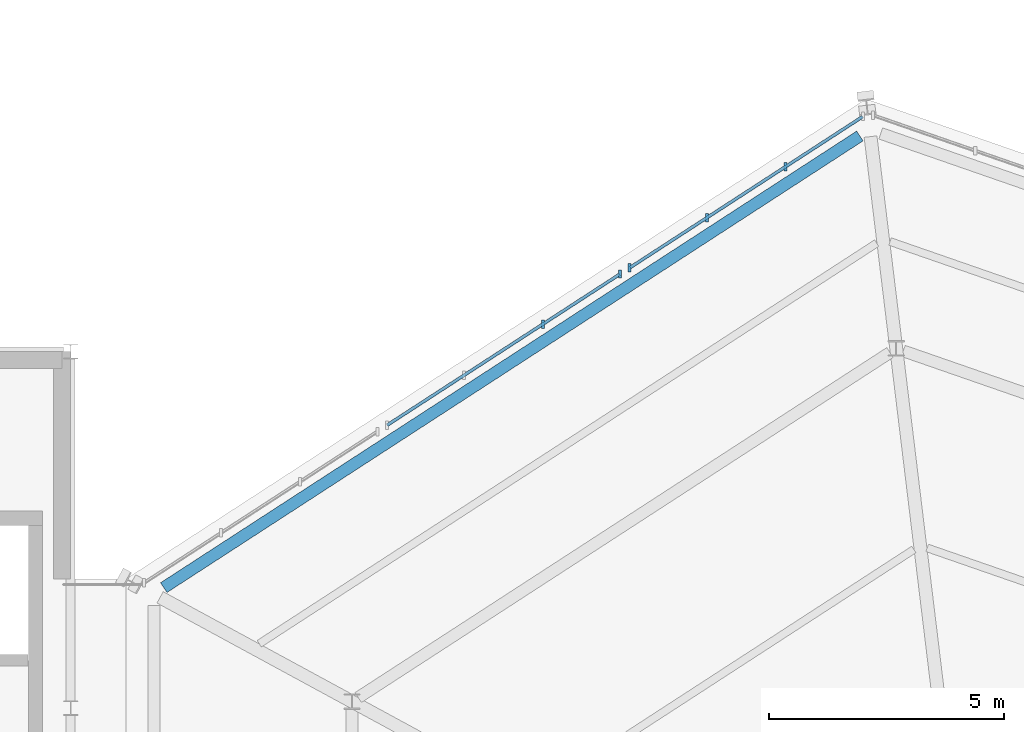
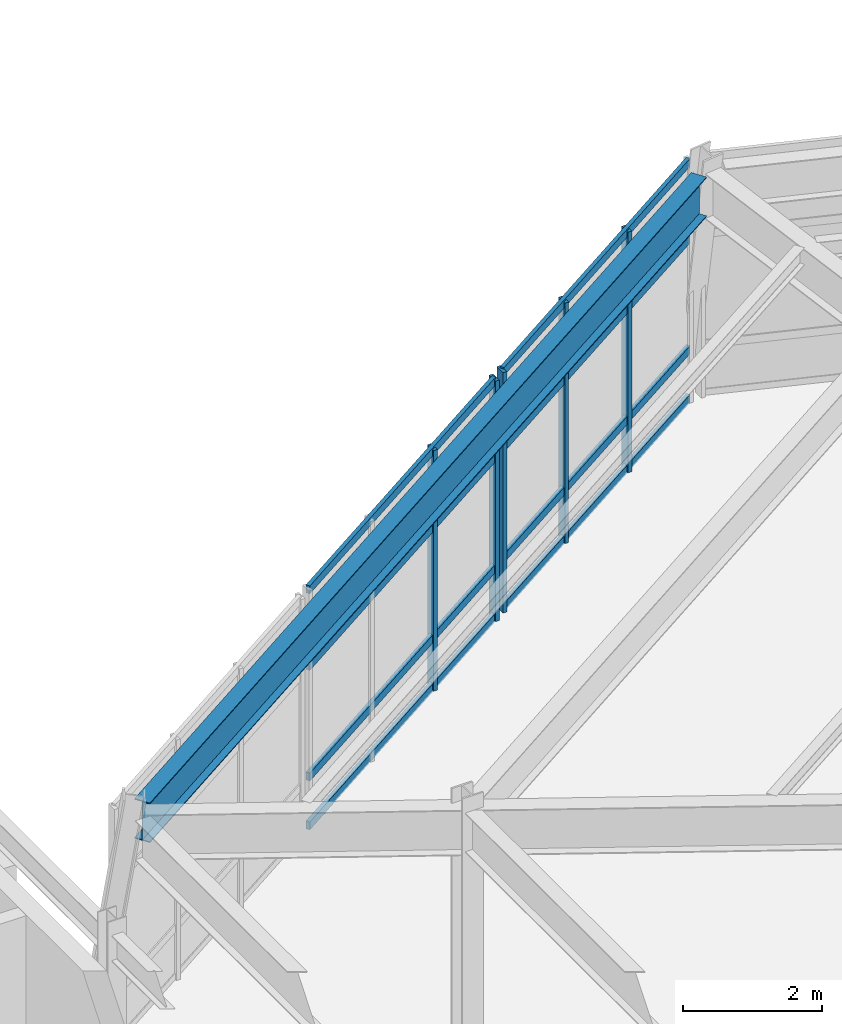
# One storey, part 32 of 69: 13 members, 1 beam, 2 elements without a shape of their own.
"""IFC4 building model written with IfcOpenShell, lengths in metres."""

from ifc_helpers import new_model, si_unit, direction, frame, origin, origin_2d, place, context, subcontext, project, spatial, rectangle, i_section, extrude, material, material_profile, profile_set, type_object, element, aggregate, save


model = new_model("IFC4")

# Units and contexts
model_context = context("Model", 3, precision=1e-05, world=origin(), true_north=direction((0.0, 1.0)))
body_context = subcontext(model_context, "Body", "Model", "MODEL_VIEW")
ifc_project = project(units=[si_unit("LENGTHUNIT", "METRE"), si_unit("AREAUNIT", "SQUARE_METRE"), si_unit("VOLUMEUNIT", "CUBIC_METRE"), si_unit("PLANEANGLEUNIT", "RADIAN"), si_unit("MASSUNIT", "GRAM", prefix="KILO")], contexts=[model_context])

# Site, building, storey
site_placement = place(None, origin())
site = spatial("IfcSite", under=ifc_project, at=site_placement, CompositionType="ELEMENT")
building_placement = place(site_placement, origin())
building = spatial("IfcBuilding", under=site, at=building_placement, Name="Sarnbrook Museum", CompositionType="ELEMENT")
storey_placement = place(building_placement, frame((0.0, 0.0, 14.60009765625)))
storey = spatial("IfcBuildingStorey", under=building, at=storey_placement, Name="L03", CompositionType="ELEMENT", Elevation=14.60009765625)

# Beam
ifc_material_1 = material(Name="Structural Steel Grade 350L0 (AS/NZS 3678, fy = 340 MPa for 20 < t <= 40 mm)", Category="steel")
ifc_material_profile_1 = material_profile(ifc_material_1, i_section(OverallWidth=0.25, OverallDepth=0.699951171875, WebThickness=0.010009765625, FlangeThickness=0.01611328125, at=origin_2d()), Name="700WB130")
ifc_profile_set_1 = profile_set([ifc_material_profile_1], Name="Structural Steel Grade 350L0 (AS/NZS 3678, fy = 340 MPa for 20 < t <= 40 mm)")
beam_type = type_object("IfcBeamType", Name="BM-WB700", PredefinedType="BEAM", material=ifc_profile_set_1)
beam_placement = place(storey_placement, frame((136.028564453125, 112.999755859375, 3.889892578125), z_axis=(-0.838904579067, -0.544278519896, 0.0), x_axis=(0.544278519896, -0.838904579067, 0.0)))
element("IfcBeam", 1, at=beam_placement, inside=storey, type_object=beam_type, Name="Crystal Hall Perimeter Ring Girder 6 L03", PredefinedType="BEAM", context=body_context, shape_type="SweptSolid", body=[
    extrude(i_section(OverallWidth=0.25, OverallDepth=0.699951171875, WebThickness=0.010009765625, FlangeThickness=0.01611328125, at=origin_2d()), origin(), (0.0, 0.0, 1.0), 17.691650390625),
])

# Curtain wall, members
ifc_material_2 = material(Name="Thermally Broken Anodised Aluminium 6063-T6", Category="aluminium")
curtain_wall_type = type_object("IfcCurtainWallType", Name="CurtainWall_CrystalFacet", PredefinedType="NOTDEFINED", material=ifc_material_2)
curtain_wall_1_placement = place(storey_placement, origin())
curtain_wall_1 = element("IfcCurtainWall", 2, at=curtain_wall_1_placement, inside=storey, type_object=curtain_wall_type, Name="Crystal Hall Facet Curtain Wall L03-F6.1", PredefinedType="NOTDEFINED")
ifc_material_profile_2 = material_profile(ifc_material_2, rectangle(XDim=0.06494140625, YDim=0.179931640625, at=origin_2d()), Name="ALU MULLION 65x180")
ifc_profile_set_2 = profile_set([ifc_material_profile_2], Name="Thermally Broken Anodised Aluminium 6063-T6")
member_type_1 = type_object("IfcMemberType", Name="CW_Mullion_180x75", PredefinedType="MULLION", material=ifc_profile_set_2)
member_1_placement = place(storey_placement, frame((134.447998046875, 112.347900390625, 0.0), z_axis=(0.0, 0.0, 1.0), x_axis=(1.0, 0.0, 0.0)))
member_1 = element("IfcMember", 3, at=member_1_placement, type_object=member_type_1, Name="Crystal Hall Facet Curtain Wall L03-F6.1 Mullion 2", PredefinedType="MULLION", context=body_context, shape_type="SweptSolid", body=[
    extrude(rectangle(XDim=0.06494140625, YDim=0.179931640625, at=origin_2d()), origin(), (0.0, 0.0, 1.0), 4.239990234375),
])
member_2_placement = place(storey_placement, frame((132.76708984375, 111.257080078125, 0.0), z_axis=(0.0, 0.0, 1.0), x_axis=(1.0, 0.0, 0.0)))
member_2 = element("IfcMember", 4, at=member_2_placement, type_object=member_type_1, Name="Crystal Hall Facet Curtain Wall L03-F6.1 Mullion 3", PredefinedType="MULLION", context=body_context, shape_type="SweptSolid", body=[
    extrude(rectangle(XDim=0.06494140625, YDim=0.179931640625, at=origin_2d()), origin(), (0.0, 0.0, 1.0), 4.239990234375),
])
member_3_placement = place(storey_placement, frame((131.119384765625, 110.188232421875, 0.0), z_axis=(0.0, 0.0, 1.0), x_axis=(1.0, 0.0, 0.0)))
member_3 = element("IfcMember", 5, at=member_3_placement, type_object=member_type_1, Name="Crystal Hall Facet Curtain Wall L03-F6.1 Mullion 4", PredefinedType="MULLION", context=body_context, shape_type="SweptSolid", body=[
    extrude(rectangle(XDim=0.06494140625, YDim=0.179931640625, at=origin_2d()), origin(), (0.0, 0.0, 1.0), 4.239990234375),
])

curtain_wall_2_placement = place(storey_placement, origin())
curtain_wall_2 = element("IfcCurtainWall", 6, at=curtain_wall_2_placement, inside=storey, type_object=curtain_wall_type, Name="Crystal Hall Facet Curtain Wall L03-F6.2", PredefinedType="NOTDEFINED")
member_4_placement = place(storey_placement, frame((130.918212890625, 110.0576171875, 0.0), z_axis=(0.0, 0.0, 1.0), x_axis=(1.0, 0.0, 0.0)))
member_4 = element("IfcMember", 7, at=member_4_placement, type_object=member_type_1, Name="Crystal Hall Facet Curtain Wall L03-F6.2 Mullion 1", PredefinedType="MULLION", context=body_context, shape_type="SweptSolid", body=[
    extrude(rectangle(XDim=0.06494140625, YDim=0.179931640625, at=origin_2d()), origin(), (0.0, 0.0, 1.0), 4.239990234375),
])
member_5_placement = place(storey_placement, frame((129.2705078125, 108.98876953125, 0.0), z_axis=(0.0, 0.0, 1.0), x_axis=(1.0, 0.0, 0.0)))
member_5 = element("IfcMember", 8, at=member_5_placement, type_object=member_type_1, Name="Crystal Hall Facet Curtain Wall L03-F6.2 Mullion 2", PredefinedType="MULLION", context=body_context, shape_type="SweptSolid", body=[
    extrude(rectangle(XDim=0.06494140625, YDim=0.179931640625, at=origin_2d()), origin(), (0.0, 0.0, 1.0), 4.239990234375),
])

# Member
ifc_material_profile_3 = material_profile(ifc_material_2, rectangle(XDim=0.06494140625, YDim=0.139892578125, at=origin_2d()), Name="ALU TRANSOM 65x140")
ifc_profile_set_3 = profile_set([ifc_material_profile_3], Name="Thermally Broken Anodised Aluminium 6063-T6")
member_type_2 = type_object("IfcMemberType", Name="CW_Transom_150x65", PredefinedType="USERDEFINED", material=ifc_profile_set_3)
member_6_placement = place(storey_placement, frame((136.087158203125, 113.411376953125, 0.039794921875), z_axis=(-0.83888585973, -0.544307371203, 0.0), x_axis=(0.544307371203, -0.83888585973, 0.0)))
member_6 = element("IfcMember", 9, at=member_6_placement, type_object=member_type_2, Name="Crystal Hall Facet Curtain Wall L03-F6.1 Transom 1", ObjectType="TRANSOM", PredefinedType="USERDEFINED", context=body_context, shape_type="SweptSolid", body=[
    extrude(rectangle(XDim=0.06494140625, YDim=0.139892578125, at=origin_2d()), origin(), (0.0, 0.0, 1.0), 5.91162109375),
])

member_7_placement = place(storey_placement, frame((136.087158203125, 113.411376953125, 0.89990234375), z_axis=(-0.83888585973, -0.544307371203, 0.0), x_axis=(0.544307371203, -0.83888585973, 0.0)))
member_7 = element("IfcMember", 10, at=member_7_placement, type_object=member_type_2, Name="Crystal Hall Facet Curtain Wall L03-F6.1 Transom 2", ObjectType="TRANSOM", PredefinedType="USERDEFINED", context=body_context, shape_type="SweptSolid", body=[
    extrude(rectangle(XDim=0.06494140625, YDim=0.139892578125, at=origin_2d()), origin(), (0.0, 0.0, 1.0), 5.91162109375),
])

member_8_placement = place(storey_placement, frame((136.087158203125, 113.411376953125, 2.849853515625), z_axis=(-0.83888585973, -0.544307371203, 0.0), x_axis=(0.544307371203, -0.83888585973, 0.0)))
member_8 = element("IfcMember", 11, at=member_8_placement, type_object=member_type_2, Name="Crystal Hall Facet Curtain Wall L03-F6.1 Transom 3", ObjectType="TRANSOM", PredefinedType="USERDEFINED", context=body_context, shape_type="SweptSolid", body=[
    extrude(rectangle(XDim=0.06494140625, YDim=0.139892578125, at=origin_2d()), origin(), (0.0, 0.0, 1.0), 5.91162109375),
])

member_9_placement = place(storey_placement, frame((136.087158203125, 113.411376953125, 4.199951171875), z_axis=(-0.83888585973, -0.544307371203, 0.0), x_axis=(0.544307371203, -0.83888585973, 0.0)))
member_9 = element("IfcMember", 12, at=member_9_placement, type_object=member_type_2, Name="Crystal Hall Facet Curtain Wall L03-F6.1 Transom 4", ObjectType="TRANSOM", PredefinedType="USERDEFINED", context=body_context, shape_type="SweptSolid", body=[
    extrude(rectangle(XDim=0.06494140625, YDim=0.139892578125, at=origin_2d()), origin(), (0.0, 0.0, 1.0), 5.91162109375),
])

aggregate(curtain_wall_1, [member_1, member_2, member_3, member_6, member_7, member_8, member_9])

member_10_placement = place(storey_placement, frame((130.90966796875, 110.05224609375, 0.039794921875), z_axis=(-0.838904716793, -0.544278307617, 0.0), x_axis=(0.544278307617, -0.838904716793, 0.0)))
member_10 = element("IfcMember", 13, at=member_10_placement, type_object=member_type_2, Name="Crystal Hall Facet Curtain Wall L03-F6.2 Transom 1", ObjectType="TRANSOM", PredefinedType="USERDEFINED", context=body_context, shape_type="SweptSolid", body=[
    extrude(rectangle(XDim=0.06494140625, YDim=0.139892578125, at=origin_2d()), origin(), (0.0, 0.0, 1.0), 5.91162109375),
])

member_11_placement = place(storey_placement, frame((130.90966796875, 110.05224609375, 0.89990234375), z_axis=(-0.838904716793, -0.544278307617, 0.0), x_axis=(0.544278307617, -0.838904716793, 0.0)))
member_11 = element("IfcMember", 14, at=member_11_placement, type_object=member_type_2, Name="Crystal Hall Facet Curtain Wall L03-F6.2 Transom 2", ObjectType="TRANSOM", PredefinedType="USERDEFINED", context=body_context, shape_type="SweptSolid", body=[
    extrude(rectangle(XDim=0.06494140625, YDim=0.139892578125, at=origin_2d()), origin(), (0.0, 0.0, 1.0), 5.91162109375),
])

member_12_placement = place(storey_placement, frame((130.90966796875, 110.05224609375, 2.849853515625), z_axis=(-0.838904716793, -0.544278307617, 0.0), x_axis=(0.544278307617, -0.838904716793, 0.0)))
member_12 = element("IfcMember", 15, at=member_12_placement, type_object=member_type_2, Name="Crystal Hall Facet Curtain Wall L03-F6.2 Transom 3", ObjectType="TRANSOM", PredefinedType="USERDEFINED", context=body_context, shape_type="SweptSolid", body=[
    extrude(rectangle(XDim=0.06494140625, YDim=0.139892578125, at=origin_2d()), origin(), (0.0, 0.0, 1.0), 5.91162109375),
])

member_13_placement = place(storey_placement, frame((130.90966796875, 110.05224609375, 4.199951171875), z_axis=(-0.838904716793, -0.544278307617, 0.0), x_axis=(0.544278307617, -0.838904716793, 0.0)))
member_13 = element("IfcMember", 16, at=member_13_placement, type_object=member_type_2, Name="Crystal Hall Facet Curtain Wall L03-F6.2 Transom 4", ObjectType="TRANSOM", PredefinedType="USERDEFINED", context=body_context, shape_type="SweptSolid", body=[
    extrude(rectangle(XDim=0.06494140625, YDim=0.139892578125, at=origin_2d()), origin(), (0.0, 0.0, 1.0), 5.91162109375),
])

aggregate(curtain_wall_2, [member_4, member_5, member_10, member_11, member_12, member_13])

save(model, "model.ifc")
